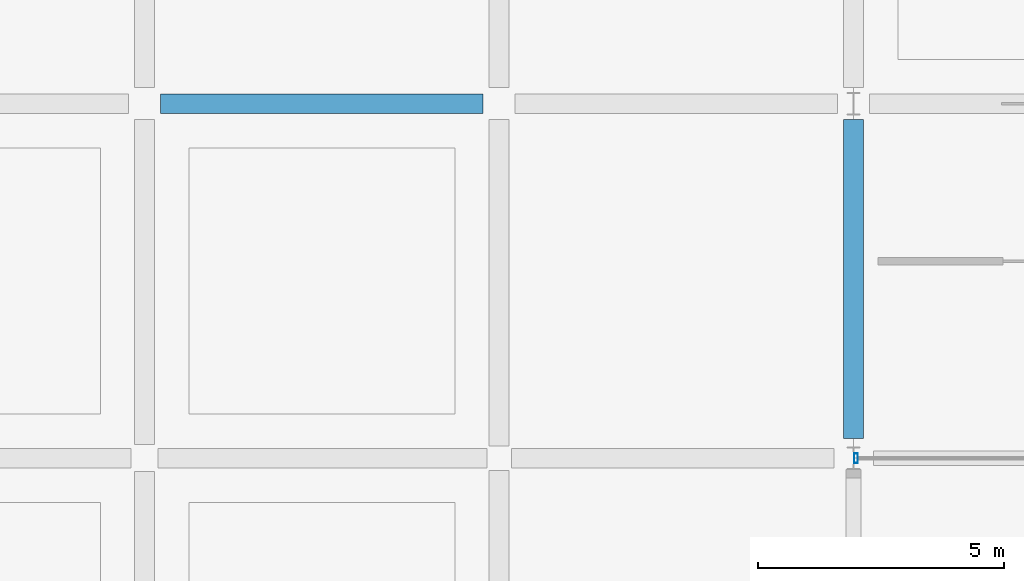
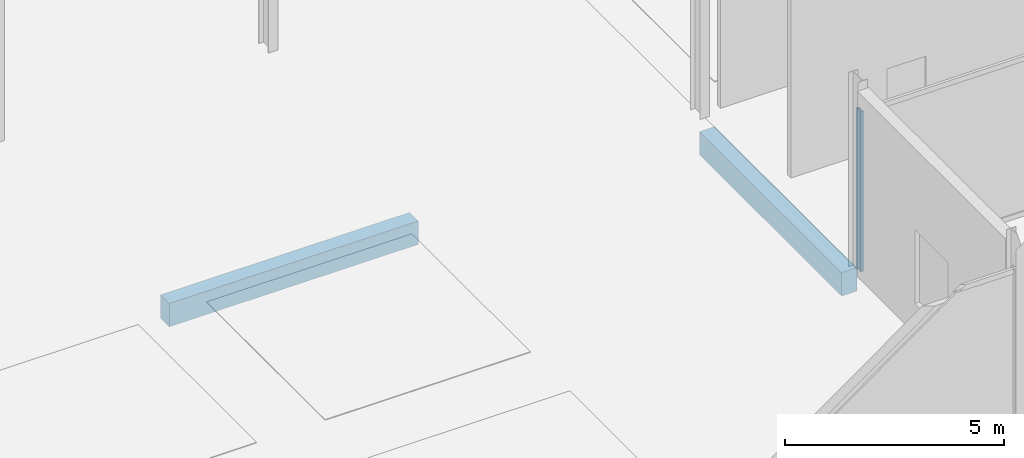
# One storey, part 26 of 90: 2 beams, 1 member, 1 element without a shape of its own.
"""IFC4 building model written with IfcOpenShell, lengths in metres."""

from ifc_helpers import new_model, si_unit, direction, frame, origin, origin_2d, place, context, subcontext, project, spatial, rectangle, hollow_rectangle, extrude, material, layer, layer_set, material_profile, profile_set, type_object, element, aggregate, save


model = new_model("IFC4")

# Units and contexts
model_context = context("Model", 3, precision=1e-05, world=origin(), true_north=direction((0.0, 1.0)))
body_context = subcontext(model_context, "Body", "Model", "MODEL_VIEW")
ifc_project = project(units=[si_unit("LENGTHUNIT", "METRE"), si_unit("AREAUNIT", "SQUARE_METRE"), si_unit("VOLUMEUNIT", "CUBIC_METRE"), si_unit("PLANEANGLEUNIT", "RADIAN"), si_unit("MASSUNIT", "GRAM", prefix="KILO")], contexts=[model_context])

# Site, building, storey
site_placement = place(None, origin())
site = spatial("IfcSite", under=ifc_project, at=site_placement, CompositionType="ELEMENT")
building_placement = place(site_placement, origin())
building = spatial("IfcBuilding", under=site, at=building_placement, Name="Kangsadwip Square Police Headquarters", CompositionType="ELEMENT")
storey_placement = place(building_placement, origin())
storey = spatial("IfcBuildingStorey", under=building, at=storey_placement, Name="L00", CompositionType="ELEMENT", Elevation=0.0)

# Curtain wall, member
ifc_material_1 = material(Name="Thermally broken anodised aluminium AW-6063-T6", Category="aluminium")
ifc_layer = layer(ifc_material_1, 0.159912109375)
ifc_layer_set = layer_set([ifc_layer], Name="Thermally broken anodised aluminium AW-6063-T6")
curtain_wall_type = type_object("IfcCurtainWallType", Name="CourtScreen6820x4450", PredefinedType="USERDEFINED", material=ifc_layer_set)
curtain_wall_placement = place(storey_placement, origin())
curtain_wall = element("IfcCurtainWall", 1, at=curtain_wall_placement, inside=storey, type_object=curtain_wall_type, Name="Curtain Wall CW-L00-0936-0936", ObjectType="GLAZED_SCREEN", PredefinedType="USERDEFINED")
ifc_material_2 = material(Name="Thermally broken anodised aluminium AW-6063-T6", Category="aluminium")
ifc_material_profile_1 = material_profile(ifc_material_2, hollow_rectangle(XDim=0.074951171875, YDim=0.199951171875, WallThickness=0.0048828125, at=origin_2d()), Name="CWM 200X75X5")
ifc_profile_set_1 = profile_set([ifc_material_profile_1], Name="Thermally broken anodised aluminium AW-6063-T6")
member_type = type_object("IfcMemberType", Name="CwMullion180x75", PredefinedType="MULLION", material=ifc_profile_set_1)
member_placement = place(storey_placement, frame((93.6474609375, 93.60009765625, 0.0), z_axis=(0.0, 0.0, 1.0), x_axis=(1.0, 0.0, 0.0)))
member = element("IfcMember", 2, at=member_placement, type_object=member_type, Name="CW-03 mullion 1", PredefinedType="MULLION", context=body_context, shape_type="SweptSolid", body=[
    extrude(hollow_rectangle(XDim=0.074951171875, YDim=0.199951171875, WallThickness=0.0048828125, at=origin_2d()), origin(), (0.0, 0.0, 1.0), 4.449951171875),
])
aggregate(curtain_wall, [member])

# Beams
ifc_material_3 = material(Name="Concrete M35 (35 MPa)", Category="concrete")
ifc_material_profile_2 = material_profile(ifc_material_3, rectangle(XDim=0.39990234375, YDim=0.64990234375, at=origin_2d()), Name="RC BM 650X400")
ifc_profile_set_2 = profile_set([ifc_material_profile_2], Name="Concrete M35 (35 MPa)")
beam_type = type_object("IfcBeamType", Name="RcBeam650x400", PredefinedType="BEAM", material=ifc_profile_set_2)
beam_1_placement = place(storey_placement, frame((79.52490234375, 100.800048828125, -0.574951171875), z_axis=(1.0, 0.0, 0.0), x_axis=(0.0, 1.0, 0.0)))
element("IfcBeam", 3, at=beam_1_placement, inside=storey, type_object=beam_type, Name="Beam BM-L00-X-11-14", PredefinedType="BEAM", context=body_context, shape_type="SweptSolid", body=[
    extrude(rectangle(XDim=0.39990234375, YDim=0.64990234375, at=origin_2d()), origin(), (0.0, 0.0, 1.0), 6.550048828125),
])
beam_2_placement = place(storey_placement, frame((93.60009765625, 94.0, -0.574951171875), z_axis=(0.0, 1.0, 0.0), x_axis=(-1.0, 0.0, 0.0)))
element("IfcBeam", 4, at=beam_2_placement, inside=storey, type_object=beam_type, Name="Beam BM-L00-Y-13-13", PredefinedType="BEAM", context=body_context, shape_type="SweptSolid", body=[
    extrude(rectangle(XDim=0.39990234375, YDim=0.64990234375, at=origin_2d()), origin(), (0.0, 0.0, 1.0), 6.47509765625),
])

save(model, "model.ifc")
